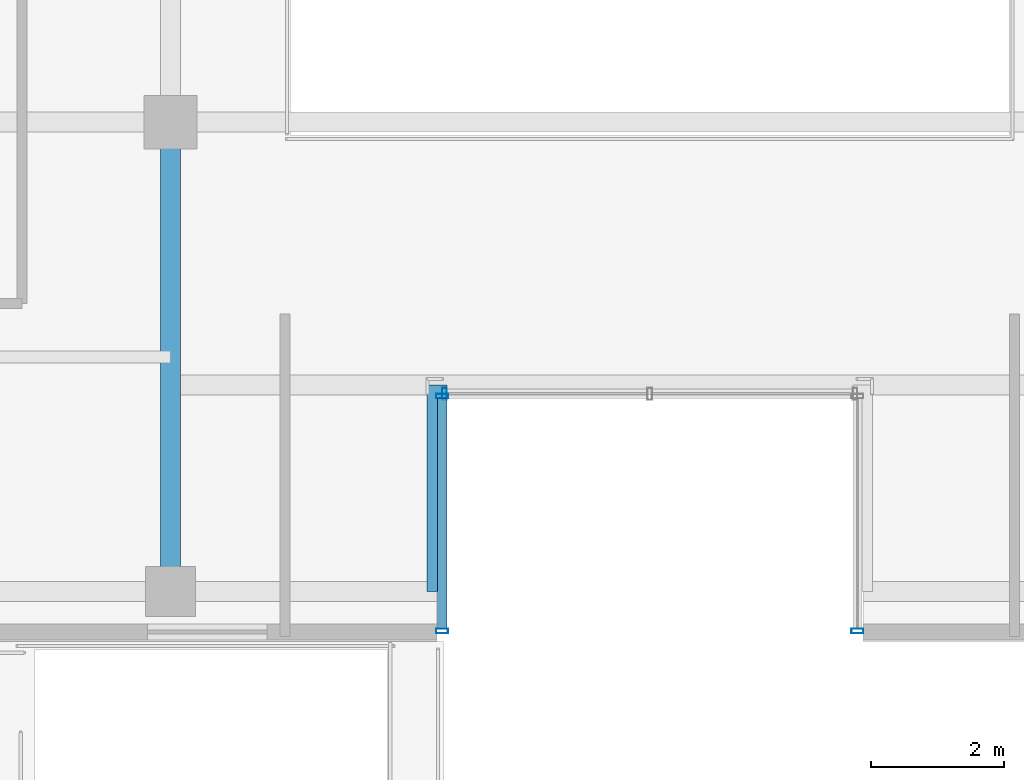
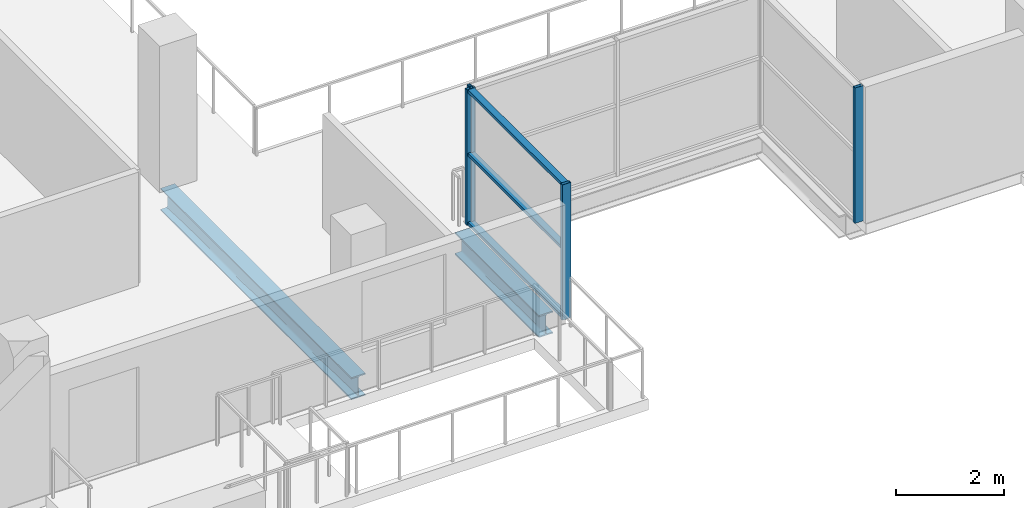
# One storey, part 6 of 23: 7 members, 2 beams, 3 elements without a shape of their own.
"""IFC4 building model written with IfcOpenShell, lengths in metres."""

import ifcopenshell
import ifcopenshell.guid

model = None  # the IFC model being written
_history = None  # IfcOwnerHistory: only IFC2X3 demands one
_inside = {}  # id of a spatial element -> (the spatial element, [elements in it])
_under = {}  # id of a project, library or spatial element -> (it, [spatial elements below it])
_declared = {}  # id of a project -> (the project, [libraries it declares])
_typed = {}  # id of a type object -> (the type object, [elements of that type])
_made_of = {}  # id of a material, layer set ... -> (it, [elements and type objects made of it])


def new_model(schema):
    """Start an empty IFC model of exactly this schema.

    Asked for "IFC4X3", IfcOpenShell would pick the latest addendum, in which some entities
    have other attributes; the version numbers below select the first issue.
    IFC2X3 requires an IfcOwnerHistory on every rooted entity: one is made here for all.
    """
    global model, _history
    if schema == "IFC4X3":
        model = ifcopenshell.file(schema_version=(4, 3, 0, 0))
    else:
        model = ifcopenshell.file(schema=schema)
    _inside.clear()
    _under.clear()
    _declared.clear()
    _typed.clear()
    _made_of.clear()
    _history = None
    if model.schema == "IFC2X3":
        org = make("IfcOrganization", Name="unknown")
        user = make(
            "IfcPersonAndOrganization",
            ThePerson=make("IfcPerson", FamilyName="unknown"),
            TheOrganization=org,
        )
        app = make(
            "IfcApplication",
            ApplicationDeveloper=org,
            Version="unknown",
            ApplicationFullName="unknown",
            ApplicationIdentifier="unknown",
        )
        _history = make(
            "IfcOwnerHistory",
            OwningUser=user,
            OwningApplication=app,
            ChangeAction="ADDED",
            CreationDate=0,
        )
    return model


def make(cls, **values):
    """One entity of the class cls with the attributes given. An attribute that is None is left unset."""
    return model.create_entity(
        cls, **{name: value for name, value in values.items() if value is not None}
    )


def rooted(cls, **values):
    """An entity with a GlobalId (a new one), such as an element, a storey or a relation."""
    return make(cls, GlobalId=ifcopenshell.guid.new(), OwnerHistory=_history, **values)


def si_unit(unit_type, name, prefix=None):
    """IfcSIUnit, for example si_unit("LENGTHUNIT", "METRE", prefix="MILLI")."""
    return make("IfcSIUnit", UnitType=unit_type, Prefix=prefix, Name=name)


def assignment(units):
    """IfcUnitAssignment: the units of a project."""
    return None if units is None else make("IfcUnitAssignment", Units=units)


def point(xyz):
    """IfcCartesianPoint."""
    return None if xyz is None else make("IfcCartesianPoint", Coordinates=xyz)


def direction(xyz):
    """IfcDirection."""
    return None if xyz is None else make("IfcDirection", DirectionRatios=xyz)


def frame(location, z_axis=None, x_axis=None):
    """IfcAxis2Placement3D, a coordinate frame: its origin and axes. An axis left out is left unset."""
    return make(
        "IfcAxis2Placement3D",
        Location=point(location),
        Axis=direction(z_axis),
        RefDirection=direction(x_axis),
    )


def frame_2d(location, x_axis=None):
    """IfcAxis2Placement2D, a coordinate frame in the plane: its origin and x axis."""
    return make(
        "IfcAxis2Placement2D", Location=point(location), RefDirection=direction(x_axis)
    )


def origin():
    """The frame at (0, 0, 0) with its axes left unset."""
    return frame((0.0, 0.0, 0.0))


def origin_2d():
    """The frame at (0, 0) in the plane with its x axis left unset."""
    return frame_2d((0.0, 0.0))


def place(relative_to, where):
    """IfcLocalPlacement: puts the frame where relative to a parent placement (None: the world)."""
    return make(
        "IfcLocalPlacement", PlacementRelTo=relative_to, RelativePlacement=where
    )


def context(
    kind, dimensions, precision=None, world=None, true_north=None, identifier=None
):
    """IfcGeometricRepresentationContext, for example the 3D "Model" context."""
    return make(
        "IfcGeometricRepresentationContext",
        ContextIdentifier=identifier,
        ContextType=kind,
        CoordinateSpaceDimension=dimensions,
        Precision=precision,
        WorldCoordinateSystem=world,
        TrueNorth=true_north,
    )


def subcontext(parent, identifier, kind, view, scale=None):
    """IfcGeometricRepresentationSubContext, for example "Body" below "Model"."""
    return make(
        "IfcGeometricRepresentationSubContext",
        ContextIdentifier=identifier,
        ContextType=kind,
        ParentContext=parent,
        TargetScale=scale,
        TargetView=view,
    )


def project(units=None, contexts=None):
    """IfcProject with its units and contexts."""
    return rooted(
        "IfcProject",
        Name="project",
        RepresentationContexts=contexts,
        UnitsInContext=assignment(units),
    )


def spatial(cls, under=None, at=None, **own):
    """A site, building, storey or space (cls), placed at a placement, below another one or the project."""
    s = rooted(cls, ObjectPlacement=at, **own)
    if under is not None:
        _under.setdefault(under.id(), (under, []))[1].append(s)
    return s


def profile(cls, at=None, kind="AREA", **sizes):
    """A parametric profile (cls). Its sizes go by their IFC names, for example OverallWidth=200.0."""
    return make(cls, ProfileType=kind, Position=at, **sizes)


def hollow_rectangle(**sizes):
    """IfcRectangleHollowProfileDef."""
    return profile("IfcRectangleHollowProfileDef", **sizes)


def i_section(**sizes):
    """IfcIShapeProfileDef."""
    return profile("IfcIShapeProfileDef", **sizes)


def extrude(swept, where, along, depth):
    """IfcExtrudedAreaSolid: the profile swept, set in the frame where, extruded along a direction by depth."""
    return make(
        "IfcExtrudedAreaSolid",
        SweptArea=swept,
        Position=where,
        ExtrudedDirection=direction(along),
        Depth=depth,
    )


def shape(context_of_items, identifier, shape_type, items):
    """IfcShapeRepresentation: the items that make up one representation, for example the "Body"."""
    return make(
        "IfcShapeRepresentation",
        ContextOfItems=context_of_items,
        RepresentationIdentifier=identifier,
        RepresentationType=shape_type,
        Items=items,
    )


def source(mapping_origin, context_of_items, identifier, shape_type, items):
    """IfcRepresentationMap: a shape defined once, which mapped items show again and again."""
    return make(
        "IfcRepresentationMap",
        MappingOrigin=mapping_origin,
        MappedRepresentation=shape(context_of_items, identifier, shape_type, items),
    )


def transform(
    local_origin,
    x_axis=None,
    y_axis=None,
    z_axis=None,
    scale=None,
    scale2=None,
    scale3=None,
    uniform=True,
):
    """IfcCartesianTransformationOperator3D, or its non-uniform kind. x_axis, y_axis, z_axis: its Axis1, 2, 3."""
    if uniform:
        return make(
            "IfcCartesianTransformationOperator3D",
            Axis1=direction(x_axis),
            Axis2=direction(y_axis),
            LocalOrigin=point(local_origin),
            Scale=scale,
            Axis3=direction(z_axis),
        )
    return make(
        "IfcCartesianTransformationOperator3DnonUniform",
        Axis1=direction(x_axis),
        Axis2=direction(y_axis),
        LocalOrigin=point(local_origin),
        Scale=scale,
        Axis3=direction(z_axis),
        Scale2=scale2,
        Scale3=scale3,
    )


def mapped(mapping_source, mapping_target):
    """IfcMappedItem: shows the shape of a source again, moved by a transform."""
    return make(
        "IfcMappedItem", MappingSource=mapping_source, MappingTarget=mapping_target
    )


def material(Name=None, Category=None):
    """IfcMaterial."""
    return make("IfcMaterial", Name=Name, Category=Category)


def layer(
    of_material, thickness, ventilated=None, Name=None, Category=None, Priority=None
):
    """IfcMaterialLayer: one layer of a wall or slab, of a material (None: an air gap)."""
    return make(
        "IfcMaterialLayer",
        Material=of_material,
        LayerThickness=thickness,
        IsVentilated=ventilated,
        Name=Name,
        Category=Category,
        Priority=Priority,
    )


def layer_set(layers, Name=None):
    """IfcMaterialLayerSet."""
    return make("IfcMaterialLayerSet", MaterialLayers=layers, LayerSetName=Name)


def material_profile(
    of_material, cross_section, Name=None, Category=None, Priority=None
):
    """IfcMaterialProfile: a cross section and its material."""
    return make(
        "IfcMaterialProfile",
        Name=Name,
        Material=of_material,
        Profile=cross_section,
        Priority=Priority,
        Category=Category,
    )


def profile_set(profiles, Name=None, composite=None):
    """IfcMaterialProfileSet."""
    return make(
        "IfcMaterialProfileSet",
        Name=Name,
        MaterialProfiles=profiles,
        CompositeProfile=composite,
    )


def made_of(thing, what):
    """Note that an element or type object is made of a material, layer set ...; save() writes the relation."""
    if what is not None:
        _made_of.setdefault(what.id(), (what, []))[1].append(thing)
    return thing


def type_object(cls, material=None, **own):
    """A type object (cls), such as IfcWallType, which elements share."""
    return made_of(rooted(cls, **own), material)


def element(
    cls,
    number,
    at=None,
    inside=None,
    cuts=None,
    type_object=None,
    material=None,
    context=None,
    identifier="Body",
    shape_type=None,
    held_by="IfcProductDefinitionShape",
    body=None,
    shapes=None,
    **own,
):
    """One element of the class cls, such as IfcWall. Its Tag is "e" and its number.

    at: its placement. inside: the storey or other place that contains it. cuts: it is an
    opening in that element (IfcRelVoidsElement). A single representation is given by context,
    identifier, shape_type and body (its items); several are given by shapes. held_by: the class
    of the entity that holds the representations. save() writes the other relations.
    """
    e = rooted(cls, Tag="e%d" % number, ObjectPlacement=at, **own)
    if body is not None:
        shapes = [shape(context, identifier, shape_type, body)]
    if shapes is not None:
        e.Representation = make(held_by, Representations=shapes)
    if inside is not None:
        _inside.setdefault(inside.id(), (inside, []))[1].append(e)
    if cuts is not None:
        rooted(
            "IfcRelVoidsElement", RelatingBuildingElement=cuts, RelatedOpeningElement=e
        )
    if type_object is not None:
        _typed.setdefault(type_object.id(), (type_object, []))[1].append(e)
    return made_of(e, material)


def aggregate(whole, parts):
    """IfcRelAggregates: a whole, such as a stair, and the parts it consists of."""
    return rooted("IfcRelAggregates", RelatingObject=whole, RelatedObjects=parts)


def save(model, path):
    """Write the relations noted so far, then the file.

    IfcRelAggregates (storeys below a building ...), IfcRelContainedInSpatialStructure (elements
    in a storey), IfcRelDefinesByType, IfcRelAssociatesMaterial and IfcRelDeclares: one each for
    every whole, place, type object, material and project.
    """
    for whole, parts in _under.values():
        aggregate(whole, parts)
    for where, things in _inside.values():
        rooted(
            "IfcRelContainedInSpatialStructure",
            RelatedElements=things,
            RelatingStructure=where,
        )
    for kind, things in _typed.values():
        rooted("IfcRelDefinesByType", RelatedObjects=things, RelatingType=kind)
    for what, things in _made_of.values():
        rooted("IfcRelAssociatesMaterial", RelatedObjects=things, RelatingMaterial=what)
    for by, libraries in _declared.values():
        rooted("IfcRelDeclares", RelatingContext=by, RelatedDefinitions=libraries)
    model.write(path)


model = new_model("IFC4")

# Units and contexts
model_context = context("Model", 3, precision=1e-05, world=origin(), true_north=direction((0.0, 1.0)))
body_context = subcontext(model_context, "Body", "Model", "MODEL_VIEW")
ifc_project = project(units=[si_unit("LENGTHUNIT", "METRE"), si_unit("AREAUNIT", "SQUARE_METRE"), si_unit("VOLUMEUNIT", "CUBIC_METRE"), si_unit("PLANEANGLEUNIT", "RADIAN"), si_unit("MASSUNIT", "GRAM", prefix="KILO")], contexts=[model_context])

# Site, building, storey
site_placement = place(None, origin())
site = spatial("IfcSite", under=ifc_project, at=site_placement, CompositionType="ELEMENT")
building_placement = place(site_placement, origin())
building = spatial("IfcBuilding", under=site, at=building_placement, Name="Zarnakvel Exchange Tower", CompositionType="ELEMENT")
storey_placement = place(building_placement, frame((0.0, 0.0, 149.5)))
storey = spatial("IfcBuildingStorey", under=building, at=storey_placement, Name="L41", CompositionType="ELEMENT", Elevation=149.5)

# Beams
ifc_material_1 = material(Name="Steel S355", Category="steel")
ifc_material_profile_1 = material_profile(ifc_material_1, i_section(OverallWidth=0.300048828125, OverallDepth=0.5, WebThickness=0.014404296875, FlangeThickness=0.028076171875, FilletRadius=0.027099609375, at=origin_2d()))
ifc_profile_set_1 = profile_set([ifc_material_profile_1], Name="Steel S355")
beam_type = type_object("IfcBeamType", Name="G-06", PredefinedType="BEAM", material=ifc_profile_set_1)
beam_1_placement = place(storey_placement, frame((-3.199951171875, -16.64990234375, -0.47509765625), z_axis=(0.0, 1.0, 0.0), x_axis=(-1.0, 0.0, 0.0)))
element("IfcBeam", 1, at=beam_1_placement, inside=storey, type_object=beam_type, Name="L41 South Slot West Cheek Beam", PredefinedType="BEAM", context=body_context, shape_type="SweptSolid", body=[
    extrude(i_section(OverallWidth=0.300048828125, OverallDepth=0.5, WebThickness=0.014404296875, FlangeThickness=0.028076171875, FilletRadius=0.027099609375, at=origin_2d()), origin(), (0.0, 0.0, 1.0), 3.099853515625),
])
beam_2_placement = place(storey_placement, frame((-7.199951171875, -16.64990234375, -0.47509765625), z_axis=(0.0, 1.0, 0.0), x_axis=(-1.0, 0.0, 0.0)))
element("IfcBeam", 2, at=beam_2_placement, inside=storey, type_object=beam_type, Name="L41 Tower N-S Frame Beam", PredefinedType="BEAM", context=body_context, shape_type="SweptSolid", body=[
    extrude(i_section(OverallWidth=0.300048828125, OverallDepth=0.5, WebThickness=0.014404296875, FlangeThickness=0.028076171875, FilletRadius=0.027099609375, at=origin_2d()), origin(), (0.0, 0.0, 1.0), 7.0498046875),
])

# Curtain wall, members
ifc_material_2 = material(Name="Architectural Bronze Anodised Aluminium", Category="aluminium")
ifc_layer = layer(ifc_material_2, 0.179931640625)
ifc_layer_set = layer_set([ifc_layer], Name="Architectural Bronze Anodised Aluminium")
curtain_wall_type = type_object("IfcCurtainWallType", Name="CW-05", PredefinedType="NOTDEFINED", material=ifc_layer_set)
curtain_wall_1_placement = place(storey_placement, origin())
curtain_wall_1 = element("IfcCurtainWall", 3, at=curtain_wall_1_placement, inside=storey, type_object=curtain_wall_type, Name="L41 Curtain Wall CW-L41-SLW (CW-05)", PredefinedType="NOTDEFINED")
ifc_material_profile_2 = material_profile(ifc_material_2, hollow_rectangle(XDim=0.139892578125, YDim=0.070068359375, WallThickness=0.00390625, at=origin_2d()))
ifc_profile_set_2 = profile_set([ifc_material_profile_2], Name="Architectural Bronze Anodised Aluminium")
member_type_1 = type_object("IfcMemberType", Name="CWT-05", PredefinedType="USERDEFINED", material=ifc_profile_set_2)
shared_shape_1 = source(origin(), body_context, "Body", "SweptSolid", [
    extrude(hollow_rectangle(XDim=0.139892578125, YDim=0.070068359375, WallThickness=0.00390625, at=origin_2d()), origin(), (0.0, 0.0, 1.0), 3.4599609375),
])
member_1_placement = place(storey_placement, frame((-3.1201171875, -17.2099609375, 0.034912109375), z_axis=(0.0, 1.0, 0.0), x_axis=(-1.0, 0.0, 0.0)))
member_1 = element("IfcMember", 4, at=member_1_placement, type_object=member_type_1, Name="CW-05 transom 1.1", ObjectType="TRANSOM", PredefinedType="USERDEFINED", context=body_context, shape_type="MappedRepresentation", body=[
    mapped(shared_shape_1, transform((0.0, 0.0, 0.0), x_axis=(1.0, 0.0, 0.0), y_axis=(0.0, 1.0, 0.0), z_axis=(0.0, 0.0, 1.0), scale=1.0)),
])
member_2_placement = place(storey_placement, frame((-3.1201171875, -17.2099609375, 1.588623046875), z_axis=(0.0, 1.0, 0.0), x_axis=(-1.0, 0.0, 0.0)))
member_2 = element("IfcMember", 5, at=member_2_placement, type_object=member_type_1, Name="CW-05 transom 1.2", ObjectType="TRANSOM", PredefinedType="USERDEFINED", context=body_context, shape_type="MappedRepresentation", body=[
    mapped(shared_shape_1, transform((0.0, 0.0, 0.0), x_axis=(1.0, 0.0, 0.0), y_axis=(0.0, 1.0, 0.0), z_axis=(0.0, 0.0, 1.0), scale=1.0)),
])
member_3_placement = place(storey_placement, frame((-3.1201171875, -17.2099609375, 3.02001953125), z_axis=(0.0, 1.0, 0.0), x_axis=(-1.0, 0.0, 0.0)))
member_3 = element("IfcMember", 6, at=member_3_placement, type_object=member_type_1, Name="CW-05 transom 1.3", ObjectType="TRANSOM", PredefinedType="USERDEFINED", context=body_context, shape_type="MappedRepresentation", body=[
    mapped(shared_shape_1, transform((0.0, 0.0, 0.0), x_axis=(1.0, 0.0, 0.0), y_axis=(0.0, 1.0, 0.0), z_axis=(0.0, 0.0, 1.0), scale=1.0)),
])
ifc_material_profile_3 = material_profile(ifc_material_2, hollow_rectangle(XDim=0.179931640625, YDim=0.070068359375, WallThickness=0.00390625, at=origin_2d()))
ifc_profile_set_3 = profile_set([ifc_material_profile_3], Name="Architectural Bronze Anodised Aluminium")
member_type_2 = type_object("IfcMemberType", Name="CWM-05", PredefinedType="MULLION", material=ifc_profile_set_3)
shared_shape_2 = source(origin(), body_context, "Body", "SweptSolid", [
    extrude(hollow_rectangle(XDim=0.179931640625, YDim=0.070068359375, WallThickness=0.00390625, at=origin_2d()), origin(), (0.0, 0.0, 1.0), 3.054931640625),
])
member_4_placement = place(storey_placement, frame((-3.1201171875, -17.2451171875, 0.0), z_axis=(0.0, 0.0, 1.0), x_axis=(-1.0, 0.0, 0.0)))
member_4 = element("IfcMember", 7, at=member_4_placement, type_object=member_type_2, Name="CW-05 mullion 1", PredefinedType="MULLION", context=body_context, shape_type="MappedRepresentation", body=[
    mapped(shared_shape_2, transform((0.0, 0.0, 0.0), x_axis=(1.0, 0.0, 0.0), y_axis=(0.0, 1.0, 0.0), z_axis=(0.0, 0.0, 1.0), scale=1.0)),
])
member_5_placement = place(storey_placement, frame((-3.1201171875, -13.715087890625, 0.0), z_axis=(0.0, 0.0, 1.0), x_axis=(-1.0, 0.0, 0.0)))
member_5 = element("IfcMember", 8, at=member_5_placement, type_object=member_type_2, Name="CW-05 mullion 2", PredefinedType="MULLION", context=body_context, shape_type="MappedRepresentation", body=[
    mapped(shared_shape_2, transform((0.0, 0.0, 0.0), x_axis=(1.0, 0.0, 0.0), y_axis=(0.0, 1.0, 0.0), z_axis=(0.0, 0.0, 1.0), scale=1.0)),
])
aggregate(curtain_wall_1, [member_4, member_5, member_1, member_2, member_3])

# Curtain wall, member
curtain_wall_2_placement = place(storey_placement, origin())
curtain_wall_2 = element("IfcCurtainWall", 9, at=curtain_wall_2_placement, inside=storey, type_object=curtain_wall_type, Name="L41 Curtain Wall CW-L41-SLB (CW-05)", PredefinedType="NOTDEFINED")
member_6_placement = place(storey_placement, frame((-3.0849609375, -13.679931640625, 0.0), z_axis=(0.0, 0.0, 1.0), x_axis=(0.0, 1.0, 0.0)))
member_6 = element("IfcMember", 10, at=member_6_placement, type_object=member_type_2, Name="CW-05 mullion 1", PredefinedType="MULLION", context=body_context, shape_type="MappedRepresentation", body=[
    mapped(shared_shape_2, transform((0.0, 0.0, 0.0), x_axis=(1.0, 0.0, 0.0), y_axis=(0.0, 1.0, 0.0), z_axis=(0.0, 0.0, 1.0), scale=1.0)),
])
aggregate(curtain_wall_2, [member_6])

curtain_wall_3_placement = place(storey_placement, origin())
curtain_wall_3 = element("IfcCurtainWall", 11, at=curtain_wall_3_placement, inside=storey, type_object=curtain_wall_type, Name="L41 Curtain Wall CW-L41-SLE (CW-05)", PredefinedType="NOTDEFINED")
member_7_placement = place(storey_placement, frame((3.1201171875, -17.2451171875, 0.0), z_axis=(0.0, 0.0, 1.0), x_axis=(1.0, 0.0, 0.0)))
member_7 = element("IfcMember", 12, at=member_7_placement, type_object=member_type_2, Name="CW-05 mullion 2", PredefinedType="MULLION", context=body_context, shape_type="MappedRepresentation", body=[
    mapped(shared_shape_2, transform((0.0, 0.0, 0.0), x_axis=(1.0, 0.0, 0.0), y_axis=(0.0, 1.0, 0.0), z_axis=(0.0, 0.0, 1.0), scale=1.0)),
])
aggregate(curtain_wall_3, [member_7])

save(model, "model.ifc")
